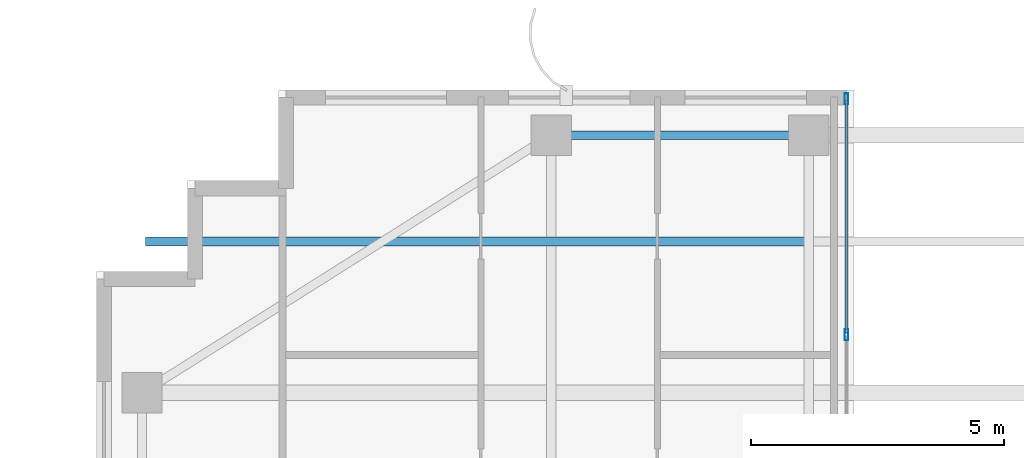
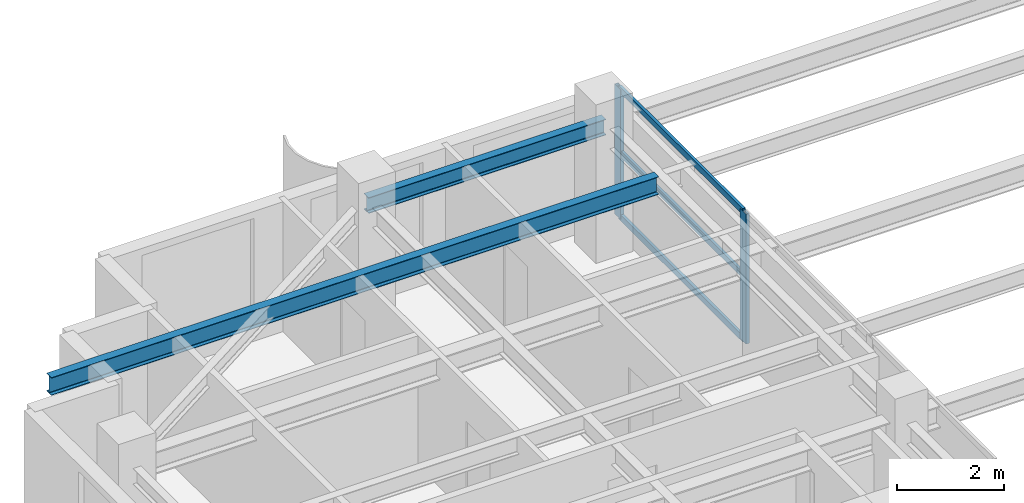
# One storey, part 16 of 25: 5 members, 2 beams, 1 element without a shape of its own.
"""IFC4 building model written with IfcOpenShell, lengths in metres."""

from ifc_helpers import new_model, si_unit, direction, frame, origin, origin_2d, place, context, subcontext, project, spatial, hollow_rectangle, i_section, extrude, source, transform, mapped, material, layer, layer_set, material_profile, profile_set, type_object, element, aggregate, save


model = new_model("IFC4")

# Units and contexts
model_context = context("Model", 3, precision=1e-05, world=origin(), true_north=direction((0.0, 1.0)))
body_context = subcontext(model_context, "Body", "Model", "MODEL_VIEW")
ifc_project = project(units=[si_unit("LENGTHUNIT", "METRE"), si_unit("AREAUNIT", "SQUARE_METRE"), si_unit("VOLUMEUNIT", "CUBIC_METRE"), si_unit("PLANEANGLEUNIT", "RADIAN"), si_unit("MASSUNIT", "GRAM", prefix="KILO")], contexts=[model_context])

# Site, building, storey
site_placement = place(None, origin())
site = spatial("IfcSite", under=ifc_project, at=site_placement, CompositionType="ELEMENT")
building_placement = place(site_placement, origin())
building = spatial("IfcBuilding", under=site, at=building_placement, Name="Khoralis Quay Care Tower", CompositionType="ELEMENT")
storey_placement = place(building_placement, frame((0.0, 0.0, 263.699951171875)))
storey = spatial("IfcBuildingStorey", under=building, at=storey_placement, Name="L69", CompositionType="ELEMENT", Elevation=263.699951171875)

# Beams
ifc_material_1 = material(Name="Steel S355", Category="steel")
ifc_material_profile_1 = material_profile(ifc_material_1, i_section(OverallWidth=0.169921875, OverallDepth=0.360107421875, WebThickness=0.008056640625, FlangeThickness=0.0126953125, FilletRadius=0.01806640625, at=origin_2d()), Name="Steel S355")
ifc_profile_set_1 = profile_set([ifc_material_profile_1], Name="Steel S355")
beam_type_1 = type_object("IfcBeamType", Name="BM-IPE360", PredefinedType="SPANDREL", material=ifc_profile_set_1)
shared_shape_1 = source(origin(), body_context, "Body", "SweptSolid", [
    extrude(i_section(OverallWidth=0.169921875, OverallDepth=0.360107421875, WebThickness=0.008056640625, FlangeThickness=0.0126953125, FilletRadius=0.01806640625, at=origin_2d()), origin(), (0.0, 0.0, 1.0), 5.10009765625),
])
beam_1_placement = place(storey_placement, frame((12.0, 41.10009765625, 2.77001953125), z_axis=(1.0, 0.0, 0.0), x_axis=(0.0, 1.0, 0.0)))
element("IfcBeam", 1, at=beam_1_placement, inside=storey, type_object=beam_type_1, Name="BM-TSP-L69-04", PredefinedType="SPANDREL", context=body_context, shape_type="MappedRepresentation", body=[
    mapped(shared_shape_1, transform((0.0, 0.0, 0.0), scale=1.0)),
])
ifc_material_profile_2 = material_profile(ifc_material_1, i_section(OverallWidth=0.177978515625, OverallDepth=0.406982421875, WebThickness=0.0078125, FlangeThickness=0.0126953125, FilletRadius=0.012939453125, at=origin_2d()), Name="Steel S355")
ifc_profile_set_2 = profile_set([ifc_material_profile_2], Name="Steel S355")
beam_type_2 = type_object("IfcBeamType", Name="BM-W410X60", PredefinedType="JOIST", material=ifc_profile_set_2)
shared_shape_2 = source(origin(), body_context, "Body", "SweptSolid", [
    extrude(i_section(OverallWidth=0.177978515625, OverallDepth=0.406982421875, WebThickness=0.0078125, FlangeThickness=0.0126953125, FilletRadius=0.012939453125, at=origin_2d()), origin(), (0.0, 0.0, 1.0), 13.045166015625),
])
beam_2_placement = place(storey_placement, frame((3.970947265625, 39.0, 2.74658203125), z_axis=(1.0, 0.0, 0.0), x_axis=(0.0, 1.0, 0.0)))
element("IfcBeam", 2, at=beam_2_placement, inside=storey, type_object=beam_type_2, Name="BM-TJS-L69-25", PredefinedType="JOIST", context=body_context, shape_type="MappedRepresentation", body=[
    mapped(shared_shape_2, transform((0.0, 0.0, 0.0), scale=1.0)),
])

# Curtain wall, members
ifc_material_2 = material(Name="Pale anodised aluminium", Category="aluminium")
ifc_layer = layer(ifc_material_2, 0.18994140625)
ifc_layer_set = layer_set([ifc_layer], Name="Pale anodised aluminium")
curtain_wall_type = type_object("IfcCurtainWallType", Name="CW-SYS-PORTAL", PredefinedType="NOTDEFINED", material=ifc_layer_set)
curtain_wall_placement = place(storey_placement, origin())
curtain_wall = element("IfcCurtainWall", 3, at=curtain_wall_placement, inside=storey, type_object=curtain_wall_type, Name="L69 Unitised Curtain Wall CW-VP-L69-P1-N", PredefinedType="NOTDEFINED")
ifc_material_profile_3 = material_profile(ifc_material_2, hollow_rectangle(XDim=0.06005859375, YDim=0.139892578125, WallThickness=0.00390625, at=origin_2d()), Name="Pale anodised aluminium")
ifc_profile_set_3 = profile_set([ifc_material_profile_3], Name="Pale anodised aluminium")
member_type_1 = type_object("IfcMemberType", Name="CW-TRN-140", PredefinedType="USERDEFINED", material=ifc_profile_set_3)
shared_shape_3 = source(origin(), body_context, "Body", "SweptSolid", [
    extrude(hollow_rectangle(XDim=0.06005859375, YDim=0.139892578125, WallThickness=0.00390625, at=origin_2d()), origin(), (0.0, 0.0, 1.0), 4.610107421875),
])
member_1_placement = place(storey_placement, frame((17.85009765625, 37.179931640625, 0.030029296875), z_axis=(0.0, 1.0, 0.0), x_axis=(-1.0, 0.0, 0.0)))
member_1 = element("IfcMember", 4, at=member_1_placement, type_object=member_type_1, Name="CW4 transom 3.1", ObjectType="TRANSOM", PredefinedType="USERDEFINED", context=body_context, shape_type="MappedRepresentation", body=[
    mapped(shared_shape_3, transform((0.0, 0.0, 0.0), scale=1.0)),
])
member_2_placement = place(storey_placement, frame((17.85009765625, 37.179931640625, 1.47509765625), z_axis=(0.0, 1.0, 0.0), x_axis=(-1.0, 0.0, 0.0)))
member_2 = element("IfcMember", 5, at=member_2_placement, type_object=member_type_1, Name="CW4 transom 3.2", ObjectType="TRANSOM", PredefinedType="USERDEFINED", context=body_context, shape_type="MappedRepresentation", body=[
    mapped(shared_shape_3, transform((0.0, 0.0, 0.0), scale=1.0)),
])
member_3_placement = place(storey_placement, frame((17.85009765625, 37.179931640625, 2.920166015625), z_axis=(0.0, 1.0, 0.0), x_axis=(-1.0, 0.0, 0.0)))
member_3 = element("IfcMember", 6, at=member_3_placement, type_object=member_type_1, Name="CW4 transom 3.3", ObjectType="TRANSOM", PredefinedType="USERDEFINED", context=body_context, shape_type="MappedRepresentation", body=[
    mapped(shared_shape_3, transform((0.0, 0.0, 0.0), scale=1.0)),
])
ifc_material_profile_4 = material_profile(ifc_material_2, hollow_rectangle(XDim=0.074951171875, YDim=0.219970703125, WallThickness=0.00390625, at=origin_2d()), Name="Pale anodised aluminium")
ifc_profile_set_4 = profile_set([ifc_material_profile_4], Name="Pale anodised aluminium")
member_type_2 = type_object("IfcMemberType", Name="CW-MUL-220", PredefinedType="MULLION", material=ifc_profile_set_4)
shared_shape_4 = source(origin(), body_context, "Body", "SweptSolid", [
    extrude(hollow_rectangle(XDim=0.074951171875, YDim=0.219970703125, WallThickness=0.00390625, at=origin_2d()), origin(), (0.0, 0.0, 1.0), 2.949951171875),
])
member_4_placement = place(storey_placement, frame((17.85009765625, 37.14990234375, 0.0), z_axis=(0.0, 0.0, 1.0), x_axis=(-1.0, 0.0, 0.0)))
member_4 = element("IfcMember", 7, at=member_4_placement, type_object=member_type_2, Name="CW4 mullion 3", PredefinedType="MULLION", context=body_context, shape_type="MappedRepresentation", body=[
    mapped(shared_shape_4, transform((0.0, 0.0, 0.0), scale=1.0)),
])
member_5_placement = place(storey_placement, frame((17.85009765625, 41.820068359375, 0.0), z_axis=(0.0, 0.0, 1.0), x_axis=(-1.0, 0.0, 0.0)))
member_5 = element("IfcMember", 8, at=member_5_placement, type_object=member_type_2, Name="CW4 mullion 4", PredefinedType="MULLION", context=body_context, shape_type="MappedRepresentation", body=[
    mapped(shared_shape_4, transform((0.0, 0.0, 0.0), scale=1.0)),
])
aggregate(curtain_wall, [member_4, member_5, member_1, member_2, member_3])

save(model, "model.ifc")
